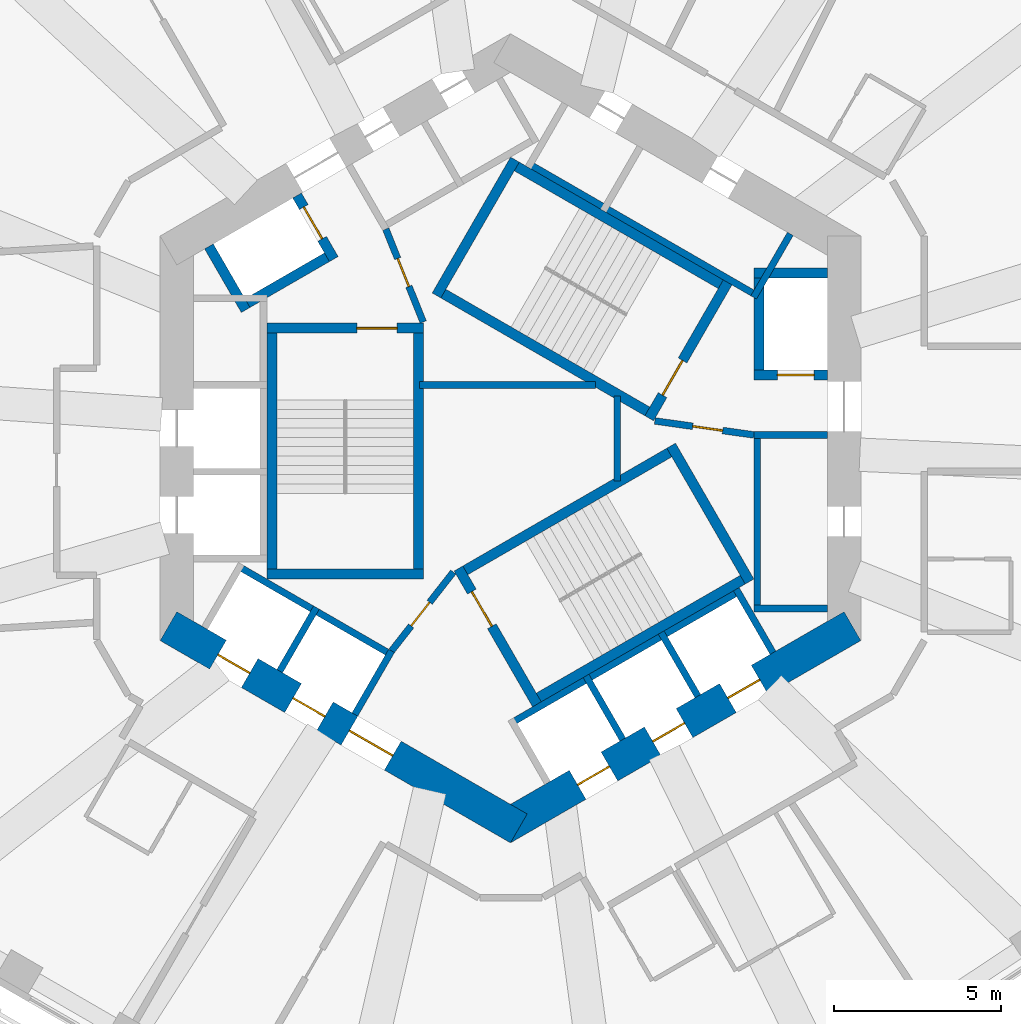
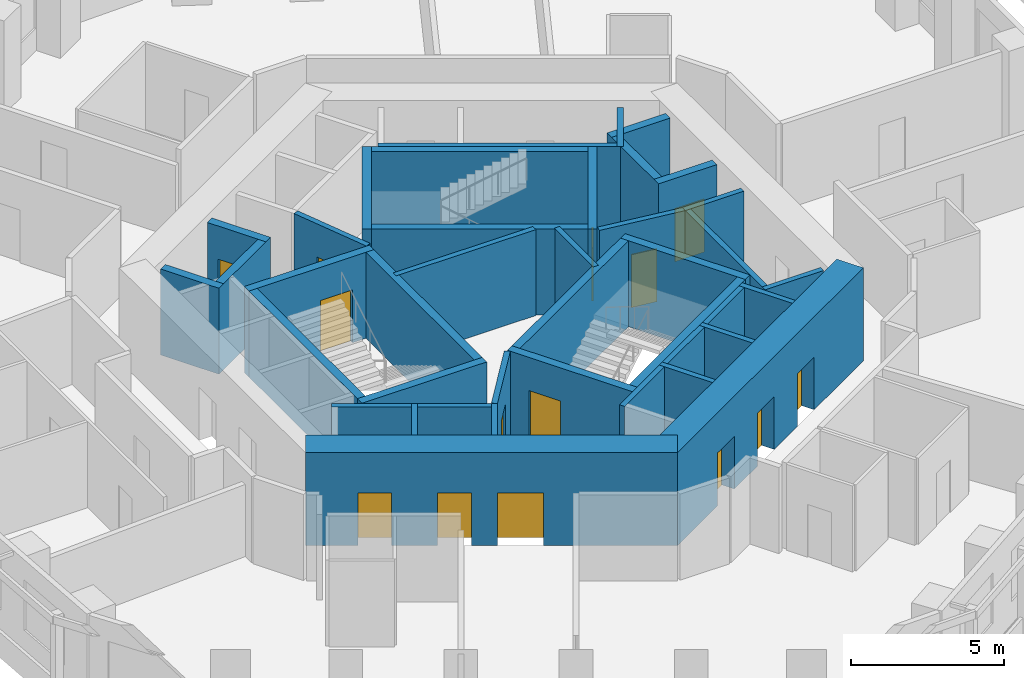
# One storey, part 5 of 11: 37 walls, 14 doors, 14 openings.
"""IFC4 building model written with IfcOpenShell, lengths in metres."""

from ifc_helpers import new_model, si_unit, direction, frame, frame_2d, origin, place, context, subcontext, project, spatial, rectangle, extrude, material, layer, layer_set, type_object, element, fill, save


model = new_model("IFC4")

# Units and contexts
model_context = context("Model", 3, precision=1e-05, world=origin(), true_north=direction((0.0, 1.0)))
body_context = subcontext(model_context, "Body", "Model", "MODEL_VIEW")
ifc_project = project(units=[si_unit("LENGTHUNIT", "METRE"), si_unit("AREAUNIT", "SQUARE_METRE"), si_unit("VOLUMEUNIT", "CUBIC_METRE"), si_unit("PLANEANGLEUNIT", "RADIAN"), si_unit("MASSUNIT", "GRAM", prefix="KILO")], contexts=[model_context])

# Site, building, storey
site_placement = place(None, origin())
site = spatial("IfcSite", under=ifc_project, at=site_placement, CompositionType="ELEMENT")
building_placement = place(site_placement, origin())
building = spatial("IfcBuilding", under=site, at=building_placement, Name="Vanh Sen Convention Tower", CompositionType="ELEMENT")
storey_placement = place(building_placement, frame((0.0, 0.0, 150.300048828125)))
storey = spatial("IfcBuildingStorey", under=building, at=storey_placement, Name="L36", CompositionType="ELEMENT", Elevation=150.300048828125)

# Wall, openings, doors
ifc_material_1 = material(Name="Concrete C80/95", Category="concrete")
ifc_layer_1 = layer(ifc_material_1, 1.0)
ifc_layer_set_1 = layer_set([ifc_layer_1], Name="Concrete C80/95")
wall_type_1 = type_object("IfcWallType", Name="Core outer wall 1000 C80/95", PredefinedType="SHEAR", material=ifc_layer_set_1)
wall_1_placement = place(storey_placement, frame((-10.25, -5.629150390625, 0.0), z_axis=(0.0, 0.0, 1.0), x_axis=(0.866022616891, -0.50000482701, 0.0)))
wall_1 = element("IfcWall", 1, at=wall_1_placement, inside=storey, type_object=wall_type_1, Name="Core wall face SW L36", PredefinedType="SHEAR", context=body_context, shape_type="SweptSolid", body=[
    extrude(rectangle(XDim=12.12451171875, YDim=1.0, at=frame_2d((6.062255859375, 0.0))), origin(), (0.0, 0.0, 1.0), 3.699951171875),
])
opening_1_placement = place(wall_1_placement, frame((6.26220703125, 0.0, 0.0)))
opening_1 = element("IfcOpeningElement", 2, at=opening_1_placement, cuts=wall_1, Name="Opening D35003", PredefinedType="OPENING", context=body_context, shape_type="SweptSolid", body=[
    extrude(rectangle(XDim=1.5, YDim=2.10009765625, at=frame_2d((0.75, 1.050048828125))), frame((0.0, 0.510009765625, 0.0), z_axis=(0.0, -1.0, 0.0), x_axis=(1.0, 0.0, 0.0)), (0.0, 0.0, 1.0), 1.02001953125),
])
opening_2_placement = place(wall_1_placement, frame((1.712158203125, 0.0, 0.0)))
opening_2 = element("IfcOpeningElement", 3, at=opening_2_placement, cuts=wall_1, Name="Opening LD-HR3", PredefinedType="OPENING", context=body_context, shape_type="SweptSolid", body=[
    extrude(rectangle(XDim=1.10009765625, YDim=2.10009765625, at=frame_2d((0.550048828125, 1.050048828125))), frame((0.0, 0.510009765625, 0.0), z_axis=(0.0, -1.0, 0.0), x_axis=(1.0, 0.0, 0.0)), (0.0, 0.0, 1.0), 1.02001953125),
])
opening_3_placement = place(wall_1_placement, frame((4.312255859375, 0.0, 0.0)))
opening_3 = element("IfcOpeningElement", 4, at=opening_3_placement, cuts=wall_1, Name="Opening LD-HR4", PredefinedType="OPENING", context=body_context, shape_type="SweptSolid", body=[
    extrude(rectangle(XDim=1.10009765625, YDim=2.10009765625, at=frame_2d((0.550048828125, 1.050048828125))), frame((0.0, 0.510009765625, 0.0), z_axis=(0.0, -1.0, 0.0), x_axis=(1.0, 0.0, 0.0)), (0.0, 0.0, 1.0), 1.02001953125),
])
ifc_material_2 = material(Name="Stainless steel", Category="steel")
door_type_1 = type_object("IfcDoorType", Name="Lift landing door 1100", OperationType="DOUBLE_DOOR_SLIDING", PredefinedType="DOOR", material=ifc_material_2)
door_1_placement = place(opening_2_placement, origin())
door_1 = element("IfcDoor", 5, at=door_1_placement, inside=storey, type_object=door_type_1, Name="Lift HR3 landing door LD-HR3", OperationType="DOUBLE_DOOR_SLIDING", OverallHeight=2.10009765625, OverallWidth=1.10009765625, PredefinedType="DOOR", context=body_context, shape_type="SweptSolid", body=[
    extrude(rectangle(XDim=1.10009765625, YDim=2.10009765625, at=frame_2d((0.550048828125, 1.050048828125))), frame((0.0, 0.02490234375, 0.0), z_axis=(0.0, -1.0, 0.0), x_axis=(1.0, 0.0, 0.0)), (0.0, 0.0, 1.0), 0.050048828125),
])
fill(opening_2, door_1)
door_2_placement = place(opening_3_placement, origin())
door_2 = element("IfcDoor", 6, at=door_2_placement, inside=storey, type_object=door_type_1, Name="Lift HR4 landing door LD-HR4", OperationType="DOUBLE_DOOR_SLIDING", OverallHeight=2.10009765625, OverallWidth=1.10009765625, PredefinedType="DOOR", context=body_context, shape_type="SweptSolid", body=[
    extrude(rectangle(XDim=1.10009765625, YDim=2.10009765625, at=frame_2d((0.550048828125, 1.050048828125))), frame((0.0, 0.02490234375, 0.0), z_axis=(0.0, -1.0, 0.0), x_axis=(1.0, 0.0, 0.0)), (0.0, 0.0, 1.0), 0.050048828125),
])
fill(opening_3, door_2)
ifc_material_3 = material(Name="Steel S355", Category="steel")
door_type_2 = type_object("IfcDoorType", Name="Stair lobby door 1500", OperationType="DOUBLE_DOOR_SINGLE_SWING", PredefinedType="DOOR", material=ifc_material_3)
door_3_placement = place(opening_1_placement, origin())
door_3 = element("IfcDoor", 7, at=door_3_placement, inside=storey, type_object=door_type_2, Name="Stair lobby door D35003", OperationType="DOUBLE_DOOR_SINGLE_SWING", OverallHeight=2.10009765625, OverallWidth=1.5, PredefinedType="DOOR", context=body_context, shape_type="SweptSolid", body=[
    extrude(rectangle(XDim=1.5, YDim=2.10009765625, at=frame_2d((0.75, 1.050048828125))), frame((0.0, 0.02490234375, 0.0), z_axis=(0.0, -1.0, 0.0), x_axis=(1.0, 0.0, 0.0)), (0.0, 0.0, 1.0), 0.050048828125),
])
fill(opening_1, door_3)

wall_2_placement = place(storey_placement, frame((-0.25, -11.69140625, 0.0), z_axis=(0.0, 0.0, 1.0), x_axis=(0.866022616891, 0.50000482701, 0.0)))
wall_2 = element("IfcWall", 8, at=wall_2_placement, inside=storey, type_object=wall_type_1, Name="Core wall face SE L36", PredefinedType="SHEAR", context=body_context, shape_type="SweptSolid", body=[
    extrude(rectangle(XDim=12.12451171875, YDim=1.0, at=frame_2d((6.062255859375, 0.0))), origin(), (0.0, 0.0, 1.0), 3.699951171875),
])
opening_4_placement = place(wall_2_placement, frame((2.6123046875, 0.0, 0.0)))
opening_4 = element("IfcOpeningElement", 9, at=opening_4_placement, cuts=wall_2, Name="Opening LD-HR5", PredefinedType="OPENING", context=body_context, shape_type="SweptSolid", body=[
    extrude(rectangle(XDim=1.10009765625, YDim=2.10009765625, at=frame_2d((0.550048828125, 1.050048828125))), frame((0.0, 0.510009765625, 0.0), z_axis=(0.0, -1.0, 0.0), x_axis=(1.0, 0.0, 0.0)), (0.0, 0.0, 1.0), 1.02001953125),
])
opening_5_placement = place(wall_2_placement, frame((5.212158203125, 0.0, 0.0)))
opening_5 = element("IfcOpeningElement", 10, at=opening_5_placement, cuts=wall_2, Name="Opening LD-HR6", PredefinedType="OPENING", context=body_context, shape_type="SweptSolid", body=[
    extrude(rectangle(XDim=1.10009765625, YDim=2.10009765625, at=frame_2d((0.550048828125, 1.050048828125))), frame((0.0, 0.510009765625, 0.0), z_axis=(0.0, -1.0, 0.0), x_axis=(1.0, 0.0, 0.0)), (0.0, 0.0, 1.0), 1.02001953125),
])
opening_6_placement = place(wall_2_placement, frame((7.812255859375, 0.0, 0.0)))
opening_6 = element("IfcOpeningElement", 11, at=opening_6_placement, cuts=wall_2, Name="Opening LD-SV1", PredefinedType="OPENING", context=body_context, shape_type="SweptSolid", body=[
    extrude(rectangle(XDim=1.10009765625, YDim=2.10009765625, at=frame_2d((0.550048828125, 1.050048828125))), frame((0.0, 0.510009765625, 0.0), z_axis=(0.0, -1.0, 0.0), x_axis=(1.0, 0.0, 0.0)), (0.0, 0.0, 1.0), 1.02001953125),
])
door_4_placement = place(opening_4_placement, origin())
door_4 = element("IfcDoor", 12, at=door_4_placement, inside=storey, type_object=door_type_1, Name="Lift HR5 landing door LD-HR5", OperationType="DOUBLE_DOOR_SLIDING", OverallHeight=2.10009765625, OverallWidth=1.10009765625, PredefinedType="DOOR", context=body_context, shape_type="SweptSolid", body=[
    extrude(rectangle(XDim=1.10009765625, YDim=2.10009765625, at=frame_2d((0.550048828125, 1.050048828125))), frame((0.0, 0.02490234375, 0.0), z_axis=(0.0, -1.0, 0.0), x_axis=(1.0, 0.0, 0.0)), (0.0, 0.0, 1.0), 0.050048828125),
])
fill(opening_4, door_4)
door_5_placement = place(opening_5_placement, origin())
door_5 = element("IfcDoor", 13, at=door_5_placement, inside=storey, type_object=door_type_1, Name="Lift HR6 landing door LD-HR6", OperationType="DOUBLE_DOOR_SLIDING", OverallHeight=2.10009765625, OverallWidth=1.10009765625, PredefinedType="DOOR", context=body_context, shape_type="SweptSolid", body=[
    extrude(rectangle(XDim=1.10009765625, YDim=2.10009765625, at=frame_2d((0.550048828125, 1.050048828125))), frame((0.0, 0.02490234375, 0.0), z_axis=(0.0, -1.0, 0.0), x_axis=(1.0, 0.0, 0.0)), (0.0, 0.0, 1.0), 0.050048828125),
])
fill(opening_5, door_5)
door_6_placement = place(opening_6_placement, origin())
door_6 = element("IfcDoor", 14, at=door_6_placement, inside=storey, type_object=door_type_1, Name="Lift SV1 landing door LD-SV1", OperationType="DOUBLE_DOOR_SLIDING", OverallHeight=2.10009765625, OverallWidth=1.10009765625, PredefinedType="DOOR", context=body_context, shape_type="SweptSolid", body=[
    extrude(rectangle(XDim=1.10009765625, YDim=2.10009765625, at=frame_2d((0.550048828125, 1.050048828125))), frame((0.0, 0.02490234375, 0.0), z_axis=(0.0, -1.0, 0.0), x_axis=(1.0, 0.0, 0.0)), (0.0, 0.0, 1.0), 0.050048828125),
])
fill(opening_6, door_6)

# Walls
ifc_material_4 = material(Name="Masonry blockwork", Category="masonry")
ifc_layer_2 = layer(ifc_material_4, 0.199951171875)
ifc_layer_set_2 = layer_set([ifc_layer_2], Name="Masonry blockwork")
wall_type_2 = type_object("IfcWallType", Name="Core partition 200", PredefinedType="PARTITIONING", material=ifc_layer_set_2)
wall_3_placement = place(storey_placement, frame((-2.719970703125, 1.60009765625, 0.0), z_axis=(0.0, 0.0, 1.0), x_axis=(1.0, 0.0, 0.0)))
element("IfcWall", 15, at=wall_3_placement, inside=storey, type_object=wall_type_2, Name="Core partition L36", PredefinedType="PARTITIONING", context=body_context, shape_type="SweptSolid", body=[
    extrude(rectangle(XDim=5.2685546875, YDim=0.199951171875, at=frame_2d((2.63427734375, 0.0))), origin(), (0.0, 0.0, 1.0), 3.419921875),
])
wall_4_placement = place(storey_placement, frame((3.199951171875, -1.274658203125, 0.0), z_axis=(0.0, 0.0, 1.0), x_axis=(0.0, 1.0, 0.0)))
element("IfcWall", 16, at=wall_4_placement, inside=storey, type_object=wall_type_2, Name="Core partition L36", PredefinedType="PARTITIONING", context=body_context, shape_type="SweptSolid", body=[
    extrude(rectangle(XDim=2.54931640625, YDim=0.199951171875, at=frame_2d((1.274658203125, 0.0))), origin(), (0.0, 0.0, 1.0), 3.419921875),
])

# Wall, opening, door
ifc_material_5 = material(Name="Concrete C60/75", Category="concrete")
ifc_layer_3 = layer(ifc_material_5, 0.300048828125)
ifc_layer_set_3 = layer_set([ifc_layer_3], Name="Concrete C60/75")
wall_type_3 = type_object("IfcWallType", Name="Fire-fighting lift shaft wall 300", PredefinedType="SHEAR", material=ifc_layer_set_3)
wall_5_placement = place(storey_placement, frame((7.300048828125, 1.89990234375, 0.0), z_axis=(0.0, 0.0, 1.0), x_axis=(1.0, 0.0, 0.0)))
wall_5 = element("IfcWall", 17, at=wall_5_placement, inside=storey, type_object=wall_type_3, Name="Fire-fighting lift shaft wall L36", PredefinedType="SHEAR", context=body_context, shape_type="SweptSolid", body=[
    extrude(rectangle(XDim=2.199951171875, YDim=0.300048828125, at=frame_2d((1.10009765625, 0.0))), origin(), (0.0, 0.0, 1.0), 3.419921875),
])
opening_7_placement = place(wall_5_placement, frame((0.699951171875, 0.0, 0.0)))
opening_7 = element("IfcOpeningElement", 18, at=opening_7_placement, cuts=wall_5, Name="Opening LD-FF1", PredefinedType="OPENING", context=body_context, shape_type="SweptSolid", body=[
    extrude(rectangle(XDim=1.10009765625, YDim=2.10009765625, at=frame_2d((0.550048828125, 1.050048828125))), frame((0.0, 0.159912109375, 0.0), z_axis=(0.0, -1.0, 0.0), x_axis=(1.0, 0.0, 0.0)), (0.0, 0.0, 1.0), 0.320068359375),
])
door_type_3 = type_object("IfcDoorType", Name="Fire-fighting lift landing door 1100", OperationType="DOUBLE_DOOR_SLIDING", PredefinedType="DOOR", material=ifc_material_2)
door_7_placement = place(opening_7_placement, origin())
door_7 = element("IfcDoor", 19, at=door_7_placement, inside=storey, type_object=door_type_3, Name="Lift FF1 landing door LD-FF1", OperationType="DOUBLE_DOOR_SLIDING", OverallHeight=2.10009765625, OverallWidth=1.10009765625, PredefinedType="DOOR", context=body_context, shape_type="SweptSolid", body=[
    extrude(rectangle(XDim=1.10009765625, YDim=2.10009765625, at=frame_2d((0.550048828125, 1.050048828125))), frame((0.0, 0.02490234375, 0.0), z_axis=(0.0, -1.0, 0.0), x_axis=(1.0, 0.0, 0.0)), (0.0, 0.0, 1.0), 0.050048828125),
])
fill(opening_7, door_7)

# Walls
wall_6_placement = place(storey_placement, frame((7.449951171875, 1.75, 0.0), z_axis=(0.0, 0.0, 1.0), x_axis=(0.0, 1.0, 0.0)))
element("IfcWall", 20, at=wall_6_placement, inside=storey, type_object=wall_type_3, Name="Fire-fighting lift shaft wall L36", PredefinedType="SHEAR", context=body_context, shape_type="SweptSolid", body=[
    extrude(rectangle(XDim=3.35009765625, YDim=0.300048828125, at=frame_2d((1.675048828125, 0.0))), origin(), (0.0, 0.0, 1.0), 3.419921875),
])
wall_7_placement = place(storey_placement, frame((7.300048828125, 4.949951171875, 0.0), z_axis=(0.0, 0.0, 1.0), x_axis=(1.0, 0.0, 0.0)))
element("IfcWall", 21, at=wall_7_placement, inside=storey, type_object=wall_type_3, Name="Fire-fighting lift shaft wall L36", PredefinedType="SHEAR", context=body_context, shape_type="SweptSolid", body=[
    extrude(rectangle(XDim=2.199951171875, YDim=0.300048828125, at=frame_2d((1.10009765625, 0.0))), origin(), (0.0, 0.0, 1.0), 3.419921875),
])

# Wall, opening, door
wall_8_placement = place(storey_placement, frame((-5.29541015625, 5.3720703125, 0.0), z_axis=(0.0, 0.0, 1.0), x_axis=(-0.500077893725, 0.86598042715, 0.0)))
wall_8 = element("IfcWall", 22, at=wall_8_placement, inside=storey, type_object=wall_type_3, Name="Fire-fighting lift shaft wall L36", PredefinedType="SHEAR", context=body_context, shape_type="SweptSolid", body=[
    extrude(rectangle(XDim=2.199951171875, YDim=0.300048828125, at=frame_2d((1.10009765625, 0.0))), origin(), (0.0, 0.0, 1.0), 3.419921875),
])
opening_8_placement = place(wall_8_placement, frame((0.699951171875, 0.0, 0.0)))
opening_8 = element("IfcOpeningElement", 23, at=opening_8_placement, cuts=wall_8, Name="Opening LD-FF2", PredefinedType="OPENING", context=body_context, shape_type="SweptSolid", body=[
    extrude(rectangle(XDim=1.10009765625, YDim=2.10009765625, at=frame_2d((0.550048828125, 1.050048828125))), frame((0.0, 0.159912109375, 0.0), z_axis=(0.0, -1.0, 0.0), x_axis=(1.0, 0.0, 0.0)), (0.0, 0.0, 1.0), 0.320068359375),
])
door_8_placement = place(opening_8_placement, origin())
door_8 = element("IfcDoor", 24, at=door_8_placement, inside=storey, type_object=door_type_3, Name="Lift FF2 landing door LD-FF2", OperationType="DOUBLE_DOOR_SLIDING", OverallHeight=2.10009765625, OverallWidth=1.10009765625, PredefinedType="DOOR", context=body_context, shape_type="SweptSolid", body=[
    extrude(rectangle(XDim=1.10009765625, YDim=2.10009765625, at=frame_2d((0.550048828125, 1.050048828125))), frame((0.0, 0.02490234375, 0.0), z_axis=(0.0, -1.0, 0.0), x_axis=(1.0, 0.0, 0.0)), (0.0, 0.0, 1.0), 0.050048828125),
])
fill(opening_8, door_8)

# Walls
wall_9_placement = place(storey_placement, frame((-5.240478515625, 5.576904296875, 0.0), z_axis=(0.0, 0.0, 1.0), x_axis=(-0.866014461049, -0.500018952895, 0.0)))
element("IfcWall", 25, at=wall_9_placement, inside=storey, type_object=wall_type_3, Name="Fire-fighting lift shaft wall L36", PredefinedType="SHEAR", context=body_context, shape_type="SweptSolid", body=[
    extrude(rectangle(XDim=3.349853515625, YDim=0.300048828125, at=frame_2d((1.6748046875, 0.0))), origin(), (0.0, 0.0, 1.0), 3.419921875),
])
wall_10_placement = place(storey_placement, frame((-7.936767578125, 3.846923828125, 0.0), z_axis=(0.0, 0.0, 1.0), x_axis=(-0.50002983664, 0.866008176907, 0.0)))
element("IfcWall", 26, at=wall_10_placement, inside=storey, type_object=wall_type_3, Name="Fire-fighting lift shaft wall L36", PredefinedType="SHEAR", context=body_context, shape_type="SweptSolid", body=[
    extrude(rectangle(XDim=2.199951171875, YDim=0.300048828125, at=frame_2d((1.10009765625, 0.0))), origin(), (0.0, 0.0, 1.0), 3.419921875),
])
ifc_material_6 = material(Name="Concrete C40/50", Category="concrete")
ifc_layer_4 = layer(ifc_material_6, 0.199951171875)
ifc_layer_set_4 = layer_set([ifc_layer_4], Name="Concrete C40/50")
wall_type_4 = type_object("IfcWallType", Name="Lift shaft wall 200", PredefinedType="PARTITIONING", material=ifc_layer_set_4)
wall_11_placement = place(storey_placement, frame((7.39990234375, -5.199951171875, 0.0), z_axis=(0.0, 0.0, 1.0), x_axis=(0.0, 1.0, 0.0)))
element("IfcWall", 27, at=wall_11_placement, inside=storey, type_object=wall_type_4, Name="Lift shaft wall L36", PredefinedType="PARTITIONING", context=body_context, shape_type="SweptSolid", body=[
    extrude(rectangle(XDim=5.39990234375, YDim=0.199951171875, at=frame_2d((2.699951171875, 0.0))), origin(), (0.0, 0.0, 1.0), 3.419921875),
])
for number, where, z_axis, x_axis, name in (
    (28, (7.300048828125, -5.10009765625, 0.0), (0.0, 0.0, 1.0), (1.0, 0.0, 0.0), "Lift shaft wall L36"),
    (29, (7.300048828125, 0.10009765625, 0.0), (0.0, 0.0, 1.0), (1.0, 0.0, 0.0), "Lift shaft wall L36"),
):
    element("IfcWall", number, at=place(storey_placement, frame(where, z_axis=z_axis, x_axis=x_axis)), inside=storey, type_object=wall_type_4, Name=name, PredefinedType="PARTITIONING", context=body_context, shape_type="SweptSolid", body=[
        extrude(rectangle(XDim=2.199951171875, YDim=0.199951171875, at=frame_2d((1.10009765625, 0.0))), origin(), (0.0, 0.0, 1.0), 3.419921875),
    ])
wall_12_placement = place(storey_placement, frame((7.423828125, 4.258544921875, 0.0), z_axis=(0.0, 0.0, 1.0), x_axis=(-0.866026010844, 0.49999894854, 0.0)))
element("IfcWall", 30, at=wall_12_placement, inside=storey, type_object=wall_type_4, Name="Lift shaft wall L36", PredefinedType="PARTITIONING", context=body_context, shape_type="SweptSolid", body=[
    extrude(rectangle(XDim=8.0, YDim=0.199951171875, at=frame_2d((4.0, 0.0))), origin(), (0.0, 0.0, 1.0), 3.419921875),
])
wall_13_placement = place(storey_placement, frame((7.287353515625, 4.221923828125, 0.0), z_axis=(0.0, 0.0, 1.0), x_axis=(0.499946605688, 0.86605622881, 0.0)))
element("IfcWall", 31, at=wall_13_placement, inside=storey, type_object=wall_type_4, Name="Lift shaft wall L36", PredefinedType="PARTITIONING", context=body_context, shape_type="SweptSolid", body=[
    extrude(rectangle(XDim=2.199951171875, YDim=0.199951171875, at=frame_2d((1.10009765625, 0.0))), origin(), (0.0, 0.0, 1.0), 3.419921875),
])
wall_14_placement = place(storey_placement, frame((-8.203369140625, -3.80859375, 0.0), z_axis=(0.0, 0.0, 1.0), x_axis=(0.866028230842, -0.499995103361, 0.0)))
element("IfcWall", 32, at=wall_14_placement, inside=storey, type_object=wall_type_4, Name="Lift shaft wall L36", PredefinedType="PARTITIONING", context=body_context, shape_type="SweptSolid", body=[
    extrude(rectangle(XDim=5.39990234375, YDim=0.199951171875, at=frame_2d((2.699951171875, 0.0))), origin(), (0.0, 0.0, 1.0), 3.419921875),
])
wall_15_placement = place(storey_placement, frame((-5.815185546875, -5.072021484375, 0.0), z_axis=(0.0, 0.0, 1.0), x_axis=(-0.499946605688, -0.86605622881, 0.0)))
element("IfcWall", 33, at=wall_15_placement, inside=storey, type_object=wall_type_4, Name="Lift shaft wall L36", PredefinedType="PARTITIONING", context=body_context, shape_type="SweptSolid", body=[
    extrude(rectangle(XDim=2.199951171875, YDim=0.199951171875, at=frame_2d((1.10009765625, 0.0))), origin(), (0.0, 0.0, 1.0), 3.419921875),
])
wall_16_placement = place(storey_placement, frame((-3.5634765625, -6.3720703125, 0.0), z_axis=(0.0, 0.0, 1.0), x_axis=(-0.499994660107, -0.866028486751, 0.0)))
element("IfcWall", 34, at=wall_16_placement, inside=storey, type_object=wall_type_4, Name="Lift shaft wall L36", PredefinedType="PARTITIONING", context=body_context, shape_type="SweptSolid", body=[
    extrude(rectangle(XDim=2.19970703125, YDim=0.199951171875, at=frame_2d((1.099853515625, 0.0))), origin(), (0.0, 0.0, 1.0), 3.419921875),
])
wall_17_placement = place(storey_placement, frame((-0.02392578125, -8.55859375, 0.0), z_axis=(0.0, 0.0, 1.0), x_axis=(0.866026010844, 0.49999894854, 0.0)))
element("IfcWall", 35, at=wall_17_placement, inside=storey, type_object=wall_type_4, Name="Lift shaft wall L36", PredefinedType="PARTITIONING", context=body_context, shape_type="SweptSolid", body=[
    extrude(rectangle(XDim=8.0, YDim=0.199951171875, at=frame_2d((4.0, 0.0))), origin(), (0.0, 0.0, 1.0), 3.419921875),
])
for number, where, z_axis, x_axis, name in (
    (36, (2.264404296875, -7.1220703125, 0.0), (0.0, 0.0, 1.0), (0.500077893725, -0.86598042715, 0.0), "Lift shaft wall L36"),
    (37, (4.51611328125, -5.822021484375, 0.0), (0.0, 0.0, 1.0), (0.499946605688, -0.86605622881, 0.0), "Lift shaft wall L36"),
    (38, (6.767578125, -4.52197265625, 0.0), (0.0, 0.0, 1.0), (0.50002983664, -0.866008176907, 0.0), "Lift shaft wall L36"),
):
    element("IfcWall", number, at=place(storey_placement, frame(where, z_axis=z_axis, x_axis=x_axis)), inside=storey, type_object=wall_type_4, Name=name, PredefinedType="PARTITIONING", context=body_context, shape_type="SweptSolid", body=[
        extrude(rectangle(XDim=2.199951171875, YDim=0.199951171875, at=frame_2d((1.10009765625, 0.0))), origin(), (0.0, 0.0, 1.0), 3.419921875),
    ])

# Wall, opening, door
ifc_layer_5 = layer(ifc_material_6, 0.199951171875)
ifc_layer_set_5 = layer_set([ifc_layer_5], Name="Concrete C40/50")
wall_type_5 = type_object("IfcWallType", Name="Stair lobby wall 200", PredefinedType="PARTITIONING", material=ifc_layer_set_5)
wall_18_placement = place(storey_placement, frame((4.327392578125, 0.52099609375, 0.0), z_axis=(0.0, 0.0, 1.0), x_axis=(0.990124376366, -0.14019172346, 0.0)))
wall_18 = element("IfcWall", 39, at=wall_18_placement, inside=storey, type_object=wall_type_5, Name="Stair lobby wall L36", PredefinedType="PARTITIONING", context=body_context, shape_type="SweptSolid", body=[
    extrude(rectangle(XDim=3.002197265625, YDim=0.199951171875, at=frame_2d((1.5009765625, 0.0))), origin(), (0.0, 0.0, 1.0), 3.419921875),
])
opening_9_placement = place(wall_18_placement, frame((1.14990234375, 0.0, 0.0)))
opening_9 = element("IfcOpeningElement", 40, at=opening_9_placement, cuts=wall_18, Name="Opening D35007", PredefinedType="OPENING", context=body_context, shape_type="SweptSolid", body=[
    extrude(rectangle(XDim=0.89990234375, YDim=2.10009765625, at=frame_2d((0.449951171875, 1.050048828125))), frame((0.0, 0.10986328125, 0.0), z_axis=(0.0, -1.0, 0.0), x_axis=(1.0, 0.0, 0.0)), (0.0, 0.0, 1.0), 0.219970703125),
])
door_type_4 = type_object("IfcDoorType", Name="Plant door 900", OperationType="SINGLE_SWING_LEFT", PredefinedType="DOOR", material=ifc_material_3)
door_9_placement = place(opening_9_placement, origin())
door_9 = element("IfcDoor", 41, at=door_9_placement, inside=storey, type_object=door_type_4, Name="Plant door D35007", OperationType="SINGLE_SWING_LEFT", OverallHeight=2.10009765625, OverallWidth=0.89990234375, PredefinedType="DOOR", context=body_context, shape_type="SweptSolid", body=[
    extrude(rectangle(XDim=0.89990234375, YDim=2.10009765625, at=frame_2d((0.449951171875, 1.050048828125))), frame((0.0, 0.02490234375, 0.0), z_axis=(0.0, -1.0, 0.0), x_axis=(1.0, 0.0, 0.0)), (0.0, 0.0, 1.0), 0.050048828125),
])
fill(opening_9, door_9)

wall_19_placement = place(storey_placement, frame((-2.614990234375, 3.487060546875, 0.0), z_axis=(0.0, 0.0, 1.0), x_axis=(-0.373576831041, 0.92759924068, 0.0)))
wall_19 = element("IfcWall", 42, at=wall_19_placement, inside=storey, type_object=wall_type_5, Name="Stair lobby wall L36", PredefinedType="PARTITIONING", context=body_context, shape_type="SweptSolid", body=[
    extrude(rectangle(XDim=3.002197265625, YDim=0.199951171875, at=frame_2d((1.5009765625, 0.0))), origin(), (0.0, 0.0, 1.0), 3.419921875),
])
opening_10_placement = place(wall_19_placement, frame((1.14990234375, 0.0, 0.0)))
opening_10 = element("IfcOpeningElement", 43, at=opening_10_placement, cuts=wall_19, Name="Opening D35008", PredefinedType="OPENING", context=body_context, shape_type="SweptSolid", body=[
    extrude(rectangle(XDim=0.89990234375, YDim=2.10009765625, at=frame_2d((0.449951171875, 1.050048828125))), frame((0.0, 0.10986328125, 0.0), z_axis=(0.0, -1.0, 0.0), x_axis=(1.0, 0.0, 0.0)), (0.0, 0.0, 1.0), 0.219970703125),
])
door_10_placement = place(opening_10_placement, origin())
door_10 = element("IfcDoor", 44, at=door_10_placement, inside=storey, type_object=door_type_4, Name="Plant door D35008", OperationType="SINGLE_SWING_LEFT", OverallHeight=2.10009765625, OverallWidth=0.89990234375, PredefinedType="DOOR", context=body_context, shape_type="SweptSolid", body=[
    extrude(rectangle(XDim=0.89990234375, YDim=2.10009765625, at=frame_2d((0.449951171875, 1.050048828125))), frame((0.0, 0.02490234375, 0.0), z_axis=(0.0, -1.0, 0.0), x_axis=(1.0, 0.0, 0.0)), (0.0, 0.0, 1.0), 0.050048828125),
])
fill(opening_10, door_10)

wall_20_placement = place(storey_placement, frame((-1.71240234375, -4.00830078125, 0.0), z_axis=(0.0, 0.0, 1.0), x_axis=(-0.616549420702, -0.787316208287, 0.0)))
wall_20 = element("IfcWall", 45, at=wall_20_placement, inside=storey, type_object=wall_type_5, Name="Stair lobby wall L36", PredefinedType="PARTITIONING", context=body_context, shape_type="SweptSolid", body=[
    extrude(rectangle(XDim=3.002197265625, YDim=0.199951171875, at=frame_2d((1.5009765625, 0.0))), origin(), (0.0, 0.0, 1.0), 3.419921875),
])
opening_11_placement = place(wall_20_placement, frame((1.14990234375, 0.0, 0.0)))
opening_11 = element("IfcOpeningElement", 46, at=opening_11_placement, cuts=wall_20, Name="Opening D35009", PredefinedType="OPENING", context=body_context, shape_type="SweptSolid", body=[
    extrude(rectangle(XDim=0.89990234375, YDim=2.10009765625, at=frame_2d((0.449951171875, 1.050048828125))), frame((0.0, 0.10986328125, 0.0), z_axis=(0.0, -1.0, 0.0), x_axis=(1.0, 0.0, 0.0)), (0.0, 0.0, 1.0), 0.219970703125),
])
door_11_placement = place(opening_11_placement, origin())
door_11 = element("IfcDoor", 47, at=door_11_placement, inside=storey, type_object=door_type_4, Name="Plant door D35009", OperationType="SINGLE_SWING_LEFT", OverallHeight=2.10009765625, OverallWidth=0.89990234375, PredefinedType="DOOR", context=body_context, shape_type="SweptSolid", body=[
    extrude(rectangle(XDim=0.89990234375, YDim=2.10009765625, at=frame_2d((0.449951171875, 1.050048828125))), frame((0.0, 0.02490234375, 0.0), z_axis=(0.0, -1.0, 0.0), x_axis=(1.0, 0.0, 0.0)), (0.0, 0.0, 1.0), 0.050048828125),
])
fill(opening_11, door_11)

ifc_layer_6 = layer(ifc_material_5, 0.300048828125)
ifc_layer_set_6 = layer_set([ifc_layer_6], Name="Concrete C60/75")
wall_type_6 = type_object("IfcWallType", Name="Stair wall 300", PredefinedType="SHEAR", material=ifc_layer_set_6)
wall_21_placement = place(storey_placement, frame((4.157958984375, 0.601806640625, 0.0), z_axis=(0.0, 0.0, 1.0), x_axis=(0.499977259774, 0.866038532462, 0.0)))
wall_21 = element("IfcWall", 48, at=wall_21_placement, inside=storey, type_object=wall_type_6, Name="Stair wall L36", PredefinedType="SHEAR", context=body_context, shape_type="SweptSolid", body=[
    extrude(rectangle(XDim=4.699951171875, YDim=0.300048828125, at=frame_2d((2.35009765625, 0.0))), origin(), (0.0, 0.0, 1.0), 3.419921875),
])
opening_12_placement = place(wall_21_placement, frame((0.800048828125, 0.0, 0.0)))
opening_12 = element("IfcOpeningElement", 49, at=opening_12_placement, cuts=wall_21, Name="Opening D35004", PredefinedType="OPENING", context=body_context, shape_type="SweptSolid", body=[
    extrude(rectangle(XDim=1.199951171875, YDim=2.10009765625, at=frame_2d((0.60009765625, 1.050048828125))), frame((0.0, 0.159912109375, 0.0), z_axis=(0.0, -1.0, 0.0), x_axis=(1.0, 0.0, 0.0)), (0.0, 0.0, 1.0), 0.320068359375),
])
door_type_5 = type_object("IfcDoorType", Name="Stair door 1200", OperationType="SINGLE_SWING_RIGHT", PredefinedType="DOOR", material=ifc_material_3)
door_12_placement = place(opening_12_placement, origin())
door_12 = element("IfcDoor", 50, at=door_12_placement, inside=storey, type_object=door_type_5, Name="Stair ST1 door D35004", OperationType="SINGLE_SWING_RIGHT", OverallHeight=2.10009765625, OverallWidth=1.199951171875, PredefinedType="DOOR", context=body_context, shape_type="SweptSolid", body=[
    extrude(rectangle(XDim=1.199951171875, YDim=2.10009765625, at=frame_2d((0.60009765625, 1.050048828125))), frame((0.0, 0.02490234375, 0.0), z_axis=(0.0, -1.0, 0.0), x_axis=(1.0, 0.0, 0.0)), (0.0, 0.0, 1.0), 0.050048828125),
])
fill(opening_12, door_12)

# Walls
wall_22_placement = place(storey_placement, frame((-2.216064453125, 4.28173828125, 0.0), z_axis=(0.0, 0.0, 1.0), x_axis=(0.499977259774, 0.866038532462, 0.0)))
element("IfcWall", 51, at=wall_22_placement, inside=storey, type_object=wall_type_6, Name="Stair wall L36", PredefinedType="SHEAR", context=body_context, shape_type="SweptSolid", body=[
    extrude(rectangle(XDim=4.699951171875, YDim=0.300048828125, at=frame_2d((2.35009765625, 0.0))), origin(), (0.0, 0.0, 1.0), 3.419921875),
])
for number, where, z_axis, x_axis, name in (
    (52, (4.10302734375, 0.806640625, 0.0), (0.0, 0.0, 1.0), (-0.866027801685, 0.499995846692, 0.0), "Stair wall L36"),
    (53, (6.302978515625, 4.6171875, 0.0), (0.0, 0.0, 1.0), (-0.866027801685, 0.499995846692, 0.0), "Stair wall L36"),
):
    element("IfcWall", number, at=place(storey_placement, frame(where, z_axis=z_axis, x_axis=x_axis)), inside=storey, type_object=wall_type_6, Name=name, PredefinedType="SHEAR", context=body_context, shape_type="SweptSolid", body=[
        extrude(rectangle(XDim=7.06005859375, YDim=0.300048828125, at=frame_2d((3.530029296875, 0.0))), origin(), (0.0, 0.0, 1.0), 3.419921875),
    ])

# Wall, opening, door
wall_23_placement = place(storey_placement, frame((-2.60009765625, 3.300048828125, 0.0), z_axis=(0.0, 0.0, 1.0), x_axis=(-1.0, 0.0, 0.0)))
wall_23 = element("IfcWall", 54, at=wall_23_placement, inside=storey, type_object=wall_type_6, Name="Stair wall L36", PredefinedType="SHEAR", context=body_context, shape_type="SweptSolid", body=[
    extrude(rectangle(XDim=4.699951171875, YDim=0.300048828125, at=frame_2d((2.35009765625, 0.0))), origin(), (0.0, 0.0, 1.0), 3.419921875),
])
opening_13_placement = place(wall_23_placement, frame((0.800048828125, 0.0, 0.0)))
opening_13 = element("IfcOpeningElement", 55, at=opening_13_placement, cuts=wall_23, Name="Opening D35005", PredefinedType="OPENING", context=body_context, shape_type="SweptSolid", body=[
    extrude(rectangle(XDim=1.199951171875, YDim=2.10009765625, at=frame_2d((0.60009765625, 1.050048828125))), frame((0.0, 0.159912109375, 0.0), z_axis=(0.0, -1.0, 0.0), x_axis=(1.0, 0.0, 0.0)), (0.0, 0.0, 1.0), 0.320068359375),
])
door_13_placement = place(opening_13_placement, origin())
door_13 = element("IfcDoor", 56, at=door_13_placement, inside=storey, type_object=door_type_5, Name="Stair ST2 door D35005", OperationType="SINGLE_SWING_RIGHT", OverallHeight=2.10009765625, OverallWidth=1.199951171875, PredefinedType="DOOR", context=body_context, shape_type="SweptSolid", body=[
    extrude(rectangle(XDim=1.199951171875, YDim=2.10009765625, at=frame_2d((0.60009765625, 1.050048828125))), frame((0.0, 0.02490234375, 0.0), z_axis=(0.0, -1.0, 0.0), x_axis=(1.0, 0.0, 0.0)), (0.0, 0.0, 1.0), 0.050048828125),
])
fill(opening_13, door_13)

# Walls
wall_24_placement = place(storey_placement, frame((-2.60009765625, -4.06005859375, 0.0), z_axis=(0.0, 0.0, 1.0), x_axis=(-1.0, 0.0, 0.0)))
element("IfcWall", 57, at=wall_24_placement, inside=storey, type_object=wall_type_6, Name="Stair wall L36", PredefinedType="SHEAR", context=body_context, shape_type="SweptSolid", body=[
    extrude(rectangle(XDim=4.699951171875, YDim=0.300048828125, at=frame_2d((2.35009765625, 0.0))), origin(), (0.0, 0.0, 1.0), 3.419921875),
])
for number, where, z_axis, x_axis, name in (
    (58, (-2.75, 3.14990234375, 0.0), (0.0, 0.0, 1.0), (0.0, -1.0, 0.0), "Stair wall L36"),
    (59, (-7.14990234375, 3.14990234375, 0.0), (0.0, 0.0, 1.0), (0.0, -1.0, 0.0), "Stair wall L36"),
):
    element("IfcWall", number, at=place(storey_placement, frame(where, z_axis=z_axis, x_axis=x_axis)), inside=storey, type_object=wall_type_6, Name=name, PredefinedType="SHEAR", context=body_context, shape_type="SweptSolid", body=[
        extrude(rectangle(XDim=7.059814453125, YDim=0.300048828125, at=frame_2d((3.52978515625, 0.0))), origin(), (0.0, 0.0, 1.0), 3.419921875),
    ])

# Wall, opening, door
wall_25_placement = place(storey_placement, frame((-1.557861328125, -3.901611328125, 0.0), z_axis=(0.0, 0.0, 1.0), x_axis=(0.499977259774, -0.866038532462, 0.0)))
wall_25 = element("IfcWall", 60, at=wall_25_placement, inside=storey, type_object=wall_type_6, Name="Stair wall L36", PredefinedType="SHEAR", context=body_context, shape_type="SweptSolid", body=[
    extrude(rectangle(XDim=4.699951171875, YDim=0.300048828125, at=frame_2d((2.35009765625, 0.0))), origin(), (0.0, 0.0, 1.0), 3.419921875),
])
opening_14_placement = place(wall_25_placement, frame((0.800048828125, 0.0, 0.0)))
opening_14 = element("IfcOpeningElement", 61, at=opening_14_placement, cuts=wall_25, Name="Opening D35006", PredefinedType="OPENING", context=body_context, shape_type="SweptSolid", body=[
    extrude(rectangle(XDim=1.199951171875, YDim=2.10009765625, at=frame_2d((0.60009765625, 1.050048828125))), frame((0.0, 0.159912109375, 0.0), z_axis=(0.0, -1.0, 0.0), x_axis=(1.0, 0.0, 0.0)), (0.0, 0.0, 1.0), 0.320068359375),
])
door_14_placement = place(opening_14_placement, origin())
door_14 = element("IfcDoor", 62, at=door_14_placement, inside=storey, type_object=door_type_5, Name="Stair ST3 door D35006", OperationType="SINGLE_SWING_RIGHT", OverallHeight=2.10009765625, OverallWidth=1.199951171875, PredefinedType="DOOR", context=body_context, shape_type="SweptSolid", body=[
    extrude(rectangle(XDim=1.199951171875, YDim=2.10009765625, at=frame_2d((0.60009765625, 1.050048828125))), frame((0.0, 0.02490234375, 0.0), z_axis=(0.0, -1.0, 0.0), x_axis=(1.0, 0.0, 0.0)), (0.0, 0.0, 1.0), 0.050048828125),
])
fill(opening_14, door_14)

# Walls
wall_26_placement = place(storey_placement, frame((4.816162109375, -0.2216796875, 0.0), z_axis=(0.0, 0.0, 1.0), x_axis=(0.499977259774, -0.866038532462, 0.0)))
element("IfcWall", 63, at=wall_26_placement, inside=storey, type_object=wall_type_6, Name="Stair wall L36", PredefinedType="SHEAR", context=body_context, shape_type="SweptSolid", body=[
    extrude(rectangle(XDim=4.699951171875, YDim=0.300048828125, at=frame_2d((2.35009765625, 0.0))), origin(), (0.0, 0.0, 1.0), 3.419921875),
])
for number, where, z_axis, x_axis, name in (
    (64, (-1.35302734375, -3.95654296875, 0.0), (0.0, 0.0, 1.0), (0.866027801685, 0.499995846692, 0.0), "Stair wall L36"),
    (65, (0.846923828125, -7.76708984375, 0.0), (0.0, 0.0, 1.0), (0.866027801685, 0.499995846692, 0.0), "Stair wall L36"),
):
    element("IfcWall", number, at=place(storey_placement, frame(where, z_axis=z_axis, x_axis=x_axis)), inside=storey, type_object=wall_type_6, Name=name, PredefinedType="SHEAR", context=body_context, shape_type="SweptSolid", body=[
        extrude(rectangle(XDim=7.06005859375, YDim=0.300048828125, at=frame_2d((3.530029296875, 0.0))), origin(), (0.0, 0.0, 1.0), 3.419921875),
    ])

save(model, "model.ifc")
